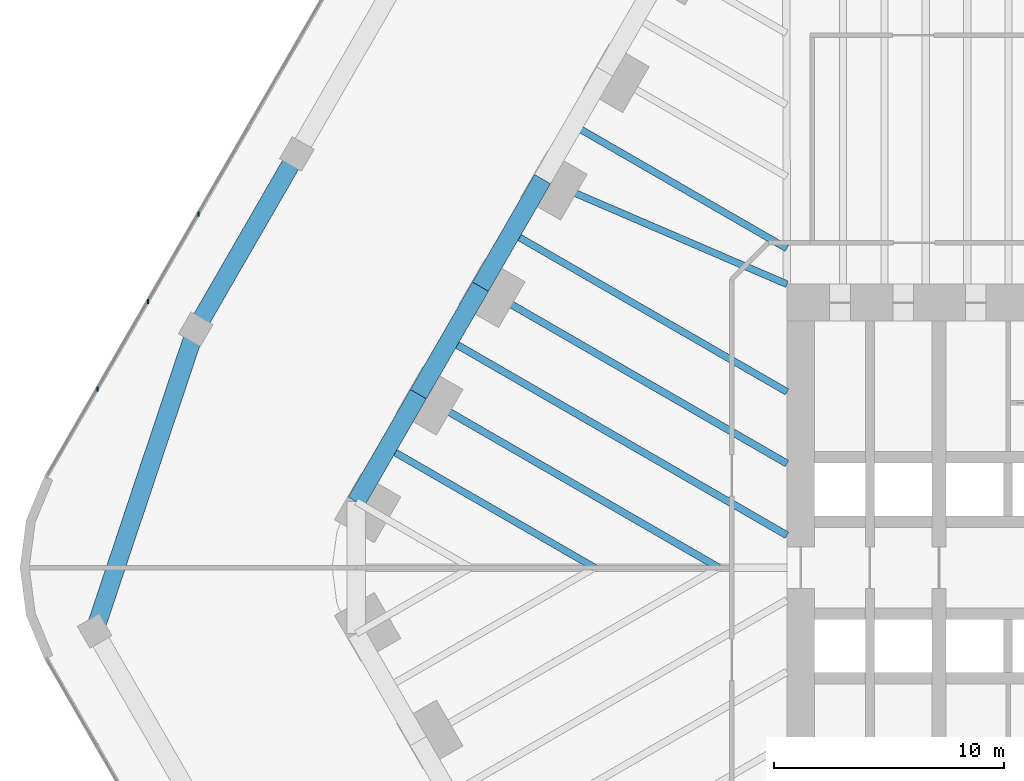
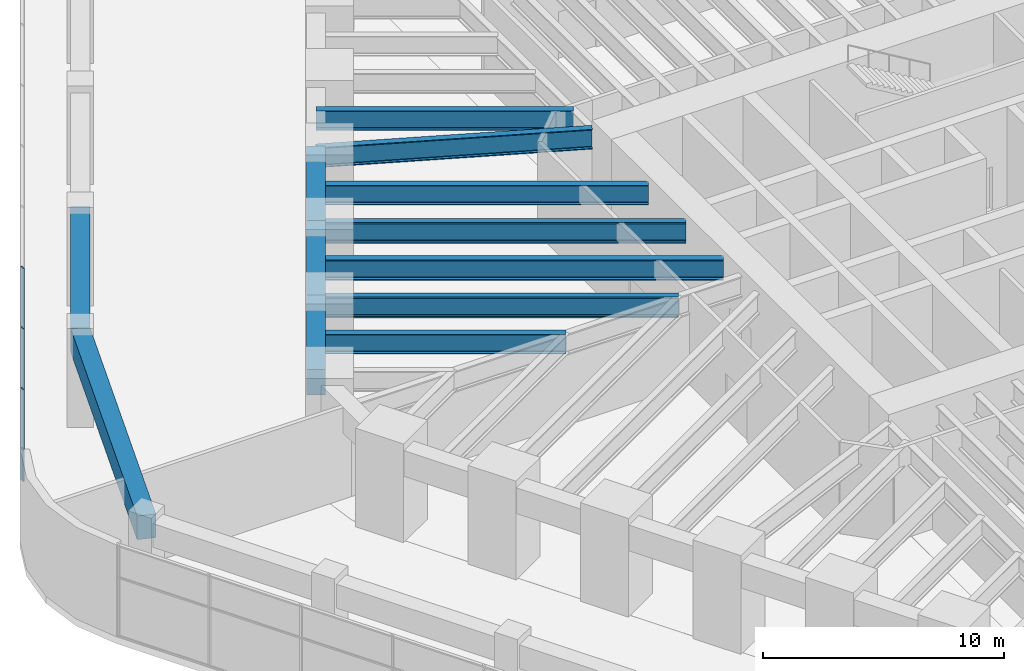
# One storey, part 10 of 31: 12 beams, 3 members, 1 element without a shape of its own.
"""IFC4 building model written with IfcOpenShell, lengths in metres."""

from ifc_helpers import new_model, si_unit, direction, frame, origin, origin_2d, place, context, subcontext, project, spatial, rectangle, i_section, extrude, material, material_profile, profile_set, type_object, element, aggregate, save


model = new_model("IFC4")

# Units and contexts
model_context = context("Model", 3, precision=1e-05, world=origin(), true_north=direction((0.0, 1.0)))
body_context = subcontext(model_context, "Body", "Model", "MODEL_VIEW")
ifc_project = project(units=[si_unit("LENGTHUNIT", "METRE"), si_unit("AREAUNIT", "SQUARE_METRE"), si_unit("VOLUMEUNIT", "CUBIC_METRE"), si_unit("PLANEANGLEUNIT", "RADIAN"), si_unit("MASSUNIT", "GRAM", prefix="KILO")], contexts=[model_context])

# Site, building, storey
site_placement = place(None, origin())
site = spatial("IfcSite", under=ifc_project, at=site_placement, CompositionType="ELEMENT")
building_placement = place(site_placement, origin())
building = spatial("IfcBuilding", under=site, at=building_placement, Name="Tarfa Lantern Tower", CompositionType="ELEMENT")
storey_placement = place(building_placement, frame((0.0, 0.0, 18.5)))
storey = spatial("IfcBuildingStorey", under=building, at=storey_placement, Name="L03", CompositionType="ELEMENT", Elevation=18.5)

# Curtain wall, members
ifc_material_1 = material(Name="Aluminium framed curtain wall", Category="aluminium")
curtain_wall_type = type_object("IfcCurtainWallType", Name="CW7 PODIUM GLAZING 4650", PredefinedType="USERDEFINED", material=ifc_material_1)
curtain_wall_placement = place(storey_placement, origin())
curtain_wall = element("IfcCurtainWall", 1, at=curtain_wall_placement, inside=storey, type_object=curtain_wall_type, Name="CW7 NW L03", ObjectType="CURTAIN WALL", PredefinedType="USERDEFINED")
ifc_material_2 = material(Name="Aluminium mullion", Category="aluminium")
ifc_material_profile_1 = material_profile(ifc_material_2, rectangle(XDim=0.06494140625, YDim=0.199951171875, at=origin_2d()), Name="AL MULLION 65x200")
ifc_profile_set_1 = profile_set([ifc_material_profile_1], Name="Aluminium mullion")
member_type = type_object("IfcMemberType", Name="CWM1 MULLION 65x200", PredefinedType="MULLION", material=ifc_profile_set_1)
member_1_placement = place(storey_placement, frame((-44.138427734375, 15.35009765625, 0.0), z_axis=(0.0, 0.0, 1.0), x_axis=(1.0, 0.0, 0.0)))
member_1 = element("IfcMember", 2, at=member_1_placement, type_object=member_type, Name="CW7 mullion 8", PredefinedType="MULLION", context=body_context, shape_type="SweptSolid", body=[
    extrude(rectangle(XDim=0.06494140625, YDim=0.199951171875, at=origin_2d()), origin(), (0.0, 0.0, 1.0), 4.64990234375),
])
member_2_placement = place(storey_placement, frame((-46.332275390625, 11.550048828125, 0.0), z_axis=(0.0, 0.0, 1.0), x_axis=(1.0, 0.0, 0.0)))
member_2 = element("IfcMember", 3, at=member_2_placement, type_object=member_type, Name="CW7 mullion 9", PredefinedType="MULLION", context=body_context, shape_type="SweptSolid", body=[
    extrude(rectangle(XDim=0.06494140625, YDim=0.199951171875, at=origin_2d()), origin(), (0.0, 0.0, 1.0), 4.64990234375),
])
member_3_placement = place(storey_placement, frame((-48.5263671875, 7.75, 0.0), z_axis=(0.0, 0.0, 1.0), x_axis=(1.0, 0.0, 0.0)))
member_3 = element("IfcMember", 4, at=member_3_placement, type_object=member_type, Name="CW7 mullion 10", PredefinedType="MULLION", context=body_context, shape_type="SweptSolid", body=[
    extrude(rectangle(XDim=0.06494140625, YDim=0.199951171875, at=origin_2d()), origin(), (0.0, 0.0, 1.0), 4.64990234375),
])
aggregate(curtain_wall, [member_1, member_2, member_3])

# Beams
ifc_material_3 = material(Name="Concrete C80/95", Category="concrete")
ifc_material_profile_2 = material_profile(ifc_material_3, rectangle(XDim=0.800048828125, YDim=1.300048828125, at=origin_2d()), Name="RC 800x1300")
ifc_profile_set_2 = profile_set([ifc_material_profile_2], Name="Concrete C80/95")
beam_type_1 = type_object("IfcBeamType", Name="EB1 RC 800x1300", PredefinedType="SPANDREL", material=ifc_profile_set_2)
for number, where, z_axis, x_axis, name in (
    (5, (-29.202392578125, 16.860107421875, 4.0), (-0.499998287579, -0.866026392449, 0.0), (0.866026392449, -0.499998287579, 0.0), "Edge beam NW3"),
    (6, (-31.896728515625, 12.193359375, 4.0), (-0.499998287579, -0.866026392449, 0.0), (0.866026392449, -0.499998287579, 0.0), "Edge beam NW4"),
):
    element("IfcBeam", number, at=place(storey_placement, frame(where, z_axis=z_axis, x_axis=x_axis)), inside=storey, type_object=beam_type_1, Name=name, PredefinedType="SPANDREL", context=body_context, shape_type="SweptSolid", body=[
        extrude(rectangle(XDim=0.800048828125, YDim=1.300048828125, at=origin_2d()), origin(), (0.0, 0.0, 1.0), 5.388671875),
    ])
beam_1_placement = place(storey_placement, frame((-34.591064453125, 7.526611328125, 4.0), z_axis=(-0.500017906299, -0.866015065331, 0.0), x_axis=(0.866015065331, -0.500017906299, 0.0)))
element("IfcBeam", 7, at=beam_1_placement, inside=storey, type_object=beam_type_1, Name="Edge beam NW5", PredefinedType="SPANDREL", context=body_context, shape_type="SweptSolid", body=[
    extrude(rectangle(XDim=0.800048828125, YDim=1.300048828125, at=origin_2d()), origin(), (0.0, 0.0, 1.0), 5.388427734375),
])
ifc_material_profile_3 = material_profile(ifc_material_3, rectangle(XDim=0.800048828125, YDim=1.199951171875, at=origin_2d()), Name="RC 800x1200")
ifc_profile_set_3 = profile_set([ifc_material_profile_3], Name="Concrete C80/95")
beam_type_2 = type_object("IfcBeamType", Name="PB2 RC 800x1200", PredefinedType="BEAM", material=ifc_profile_set_3)
beam_2_placement = place(storey_placement, frame((-39.865966796875, 17.949951171875, 4.050048828125), z_axis=(-0.500013843384, -0.866017411155, 0.0), x_axis=(0.866017411155, -0.500013843384, 0.0)))
element("IfcBeam", 8, at=beam_2_placement, inside=storey, type_object=beam_type_2, Name="Podium ring beam NW3", PredefinedType="BEAM", context=body_context, shape_type="SweptSolid", body=[
    extrude(rectangle(XDim=0.800048828125, YDim=1.199951171875, at=origin_2d()), origin(), (0.0, 0.0, 1.0), 8.775634765625),
])
beam_3_placement = place(storey_placement, frame((-44.25390625, 10.35009765625, 4.050048828125), z_axis=(-0.317611113529, -0.948221061021, 0.0), x_axis=(0.948221061021, -0.317611113529, 0.0)))
element("IfcBeam", 9, at=beam_3_placement, inside=storey, type_object=beam_type_2, Name="Podium ring beam NW4", PredefinedType="BEAM", context=body_context, shape_type="SweptSolid", body=[
    extrude(rectangle(XDim=0.800048828125, YDim=1.199951171875, at=origin_2d()), origin(), (0.0, 0.0, 1.0), 13.8154296875),
])
ifc_material_4 = material(Name="Steel S460M", Category="steel")
ifc_material_profile_4 = material_profile(ifc_material_4, i_section(OverallWidth=0.302001953125, OverallDepth=1.008056640625, WebThickness=0.02099609375, FlangeThickness=0.0400390625, FilletRadius=0.030029296875, at=origin_2d()), Name="UB1016x305x349")
ifc_profile_set_4 = profile_set([ifc_material_profile_4], Name="Steel S460M")
beam_type_3 = type_object("IfcBeamType", Name="UB1016x305x349", PredefinedType="BEAM", material=ifc_profile_set_4)
beam_4_placement = place(storey_placement, frame((-29.202392578125, 16.860107421875, 4.14599609375), z_axis=(0.918635483867, -0.395106122175, 0.0), x_axis=(0.395106122175, 0.918635483867, 0.0)))
element("IfcBeam", 10, at=beam_4_placement, inside=storey, type_object=beam_type_3, Name="Floor beam NW3", PredefinedType="BEAM", context=body_context, shape_type="SweptSolid", body=[
    extrude(i_section(OverallWidth=0.302001953125, OverallDepth=1.008056640625, WebThickness=0.02099609375, FlangeThickness=0.0400390625, FilletRadius=0.030029296875, at=origin_2d()), origin(), (0.0, 0.0, 1.0), 11.541259765625),
])
beam_5_placement = place(storey_placement, frame((-27.855224609375, 19.193359375, 4.14599609375), z_axis=(0.866028034017, -0.499995444275, 0.0), x_axis=(0.499995444275, 0.866028034017, 0.0)))
element("IfcBeam", 11, at=beam_5_placement, inside=storey, type_object=beam_type_3, Name="Floor beam NW2M", PredefinedType="BEAM", context=body_context, shape_type="SweptSolid", body=[
    extrude(i_section(OverallWidth=0.302001953125, OverallDepth=1.008056640625, WebThickness=0.02099609375, FlangeThickness=0.0400390625, FilletRadius=0.030029296875, at=origin_2d()), origin(), (0.0, 0.0, 1.0), 10.68310546875),
])
beam_6_placement = place(storey_placement, frame((-30.549560546875, 14.526611328125, 4.14599609375), z_axis=(0.866028536827, -0.499994573371, 0.0), x_axis=(0.499994573371, 0.866028536827, 0.0)))
element("IfcBeam", 12, at=beam_6_placement, inside=storey, type_object=beam_type_3, Name="Floor beam NW3M", PredefinedType="BEAM", context=body_context, shape_type="SweptSolid", body=[
    extrude(i_section(OverallWidth=0.302001953125, OverallDepth=1.008056640625, WebThickness=0.02099609375, FlangeThickness=0.0400390625, FilletRadius=0.030029296875, at=origin_2d()), origin(), (0.0, 0.0, 1.0), 13.798095703125),
])
beam_7_placement = place(storey_placement, frame((-35.938232421875, 5.193359375, 4.14599609375), z_axis=(0.866024317969, -0.500001880682, 0.0), x_axis=(0.500001880682, 0.866024317969, 0.0)))
element("IfcBeam", 13, at=beam_7_placement, inside=storey, type_object=beam_type_3, Name="Floor beam NW5M", PredefinedType="BEAM", context=body_context, shape_type="SweptSolid", body=[
    extrude(i_section(OverallWidth=0.302001953125, OverallDepth=1.008056640625, WebThickness=0.02099609375, FlangeThickness=0.0400390625, FilletRadius=0.030029296875, at=origin_2d()), origin(), (0.0, 0.0, 1.0), 10.38671875),
])
ifc_material_profile_5 = material_profile(ifc_material_4, i_section(OverallWidth=0.314208984375, OverallDepth=1.055908203125, WebThickness=0.035888671875, FlangeThickness=0.06396484375, FilletRadius=0.030029296875, at=origin_2d()), Name="UB1016x305x584")
ifc_profile_set_5 = profile_set([ifc_material_profile_5], Name="Steel S460M")
beam_type_4 = type_object("IfcBeamType", Name="UB1016x305x584", PredefinedType="BEAM", material=ifc_profile_set_5)
beam_8_placement = place(storey_placement, frame((-31.896728515625, 12.193359375, 4.1220703125), z_axis=(0.866026971665, -0.499997284341, 0.0), x_axis=(0.499997284341, 0.866026971665, 0.0)))
element("IfcBeam", 14, at=beam_8_placement, inside=storey, type_object=beam_type_4, Name="Floor beam NW4", PredefinedType="BEAM", context=body_context, shape_type="SweptSolid", body=[
    extrude(i_section(OverallWidth=0.314208984375, OverallDepth=1.055908203125, WebThickness=0.035888671875, FlangeThickness=0.06396484375, FilletRadius=0.030029296875, at=origin_2d()), origin(), (0.0, 0.0, 1.0), 15.353515625),
])
beam_9_placement = place(storey_placement, frame((-34.591064453125, 7.526611328125, 4.1220703125), z_axis=(0.86602785945, -0.499995746638, 0.0), x_axis=(0.499995746638, 0.86602785945, 0.0)))
element("IfcBeam", 15, at=beam_9_placement, inside=storey, type_object=beam_type_4, Name="Floor beam NW5", PredefinedType="BEAM", context=body_context, shape_type="SweptSolid", body=[
    extrude(i_section(OverallWidth=0.314208984375, OverallDepth=1.055908203125, WebThickness=0.035888671875, FlangeThickness=0.06396484375, FilletRadius=0.030029296875, at=origin_2d()), origin(), (0.0, 0.0, 1.0), 15.053466796875),
])
beam_10_placement = place(storey_placement, frame((-33.243896484375, 9.860107421875, 4.1220703125), z_axis=(0.866019442478, -0.500010325144, 0.0), x_axis=(0.500010325144, 0.866019442478, 0.0)))
element("IfcBeam", 16, at=beam_10_placement, inside=storey, type_object=beam_type_4, Name="Floor beam NW4M", PredefinedType="BEAM", context=body_context, shape_type="SweptSolid", body=[
    extrude(i_section(OverallWidth=0.314208984375, OverallDepth=1.055908203125, WebThickness=0.035888671875, FlangeThickness=0.06396484375, FilletRadius=0.030029296875, at=origin_2d()), origin(), (0.0, 0.0, 1.0), 16.909423828125),
])

save(model, "model.ifc")
